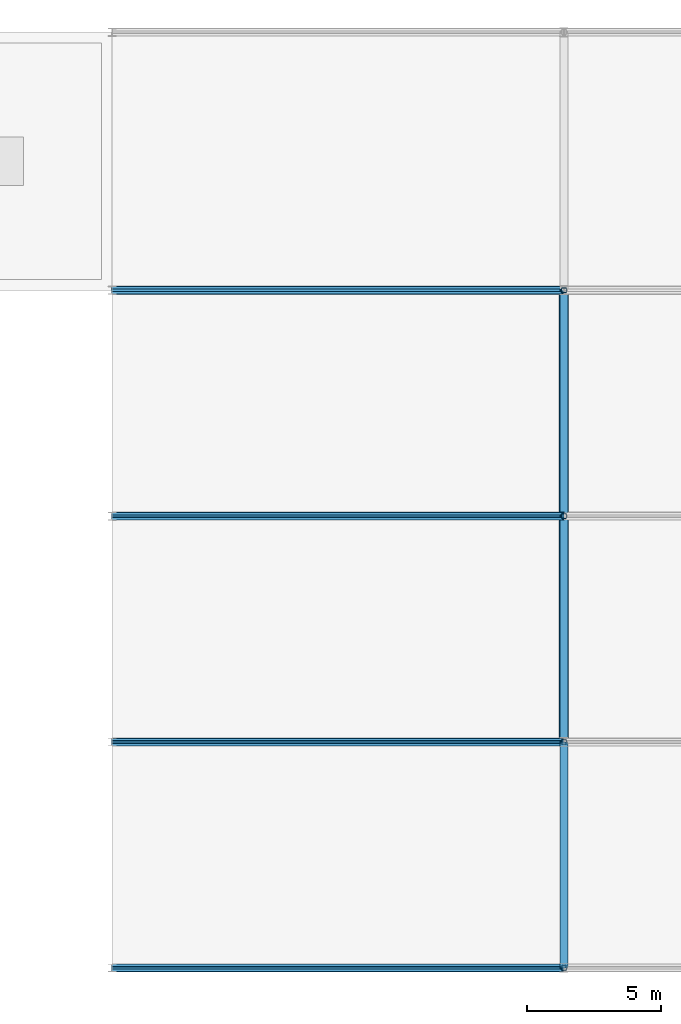
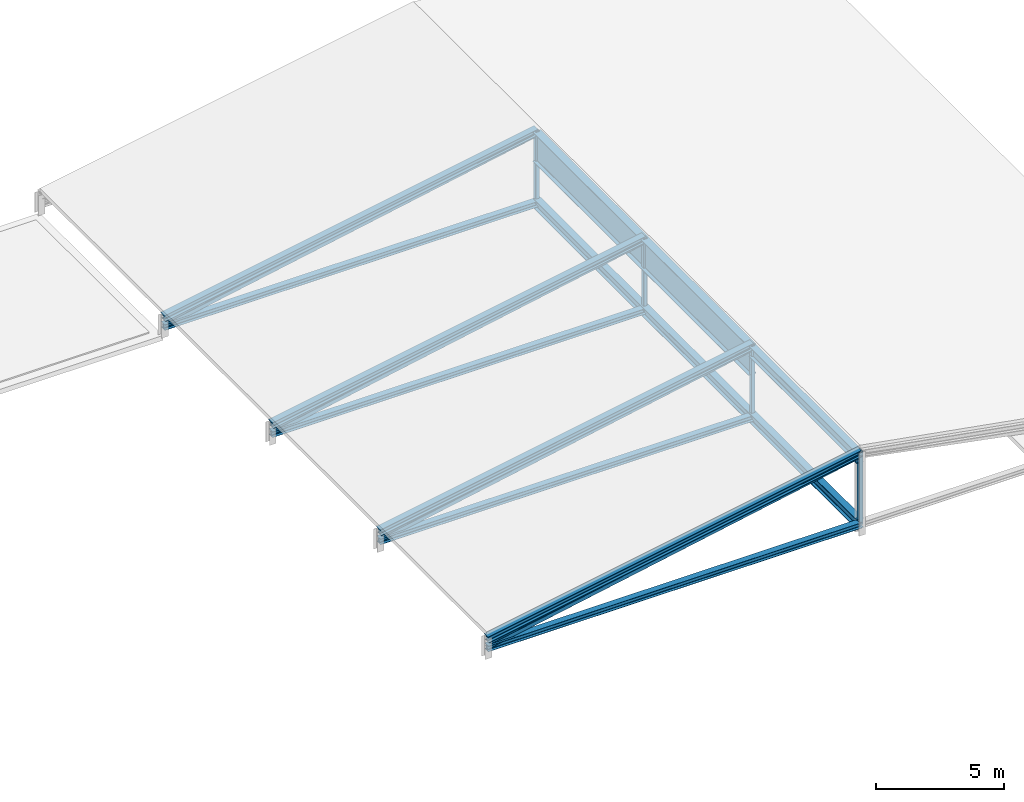
# One storey, part 31 of 90: 16 members, 4 beams.
"""IFC4 building model written with IfcOpenShell, lengths in metres."""

import ifcopenshell
import ifcopenshell.guid

model = None  # the IFC model being written
_history = None  # IfcOwnerHistory: only IFC2X3 demands one
_inside = {}  # id of a spatial element -> (the spatial element, [elements in it])
_under = {}  # id of a project, library or spatial element -> (it, [spatial elements below it])
_declared = {}  # id of a project -> (the project, [libraries it declares])
_typed = {}  # id of a type object -> (the type object, [elements of that type])
_made_of = {}  # id of a material, layer set ... -> (it, [elements and type objects made of it])


def new_model(schema):
    """Start an empty IFC model of exactly this schema.

    Asked for "IFC4X3", IfcOpenShell would pick the latest addendum, in which some entities
    have other attributes; the version numbers below select the first issue.
    IFC2X3 requires an IfcOwnerHistory on every rooted entity: one is made here for all.
    """
    global model, _history
    if schema == "IFC4X3":
        model = ifcopenshell.file(schema_version=(4, 3, 0, 0))
    else:
        model = ifcopenshell.file(schema=schema)
    _inside.clear()
    _under.clear()
    _declared.clear()
    _typed.clear()
    _made_of.clear()
    _history = None
    if model.schema == "IFC2X3":
        org = make("IfcOrganization", Name="unknown")
        user = make(
            "IfcPersonAndOrganization",
            ThePerson=make("IfcPerson", FamilyName="unknown"),
            TheOrganization=org,
        )
        app = make(
            "IfcApplication",
            ApplicationDeveloper=org,
            Version="unknown",
            ApplicationFullName="unknown",
            ApplicationIdentifier="unknown",
        )
        _history = make(
            "IfcOwnerHistory",
            OwningUser=user,
            OwningApplication=app,
            ChangeAction="ADDED",
            CreationDate=0,
        )
    return model


def make(cls, **values):
    """One entity of the class cls with the attributes given. An attribute that is None is left unset."""
    return model.create_entity(
        cls, **{name: value for name, value in values.items() if value is not None}
    )


def rooted(cls, **values):
    """An entity with a GlobalId (a new one), such as an element, a storey or a relation."""
    return make(cls, GlobalId=ifcopenshell.guid.new(), OwnerHistory=_history, **values)


def si_unit(unit_type, name, prefix=None):
    """IfcSIUnit, for example si_unit("LENGTHUNIT", "METRE", prefix="MILLI")."""
    return make("IfcSIUnit", UnitType=unit_type, Prefix=prefix, Name=name)


def derived_unit(unit_type, elements):
    """IfcDerivedUnit: a product of units, each with its exponent."""
    return make(
        "IfcDerivedUnit",
        Elements=[
            make("IfcDerivedUnitElement", Unit=unit, Exponent=power)
            for unit, power in elements
        ],
        UnitType=unit_type,
    )


def assignment(units):
    """IfcUnitAssignment: the units of a project."""
    return None if units is None else make("IfcUnitAssignment", Units=units)


def point(xyz):
    """IfcCartesianPoint."""
    return None if xyz is None else make("IfcCartesianPoint", Coordinates=xyz)


def direction(xyz):
    """IfcDirection."""
    return None if xyz is None else make("IfcDirection", DirectionRatios=xyz)


def frame(location, z_axis=None, x_axis=None):
    """IfcAxis2Placement3D, a coordinate frame: its origin and axes. An axis left out is left unset."""
    return make(
        "IfcAxis2Placement3D",
        Location=point(location),
        Axis=direction(z_axis),
        RefDirection=direction(x_axis),
    )


def frame_2d(location, x_axis=None):
    """IfcAxis2Placement2D, a coordinate frame in the plane: its origin and x axis."""
    return make(
        "IfcAxis2Placement2D", Location=point(location), RefDirection=direction(x_axis)
    )


def origin():
    """The frame at (0, 0, 0) with its axes left unset."""
    return frame((0.0, 0.0, 0.0))


def origin_2d():
    """The frame at (0, 0) in the plane with its x axis left unset."""
    return frame_2d((0.0, 0.0))


def place(relative_to, where):
    """IfcLocalPlacement: puts the frame where relative to a parent placement (None: the world)."""
    return make(
        "IfcLocalPlacement", PlacementRelTo=relative_to, RelativePlacement=where
    )


def context(
    kind, dimensions, precision=None, world=None, true_north=None, identifier=None
):
    """IfcGeometricRepresentationContext, for example the 3D "Model" context."""
    return make(
        "IfcGeometricRepresentationContext",
        ContextIdentifier=identifier,
        ContextType=kind,
        CoordinateSpaceDimension=dimensions,
        Precision=precision,
        WorldCoordinateSystem=world,
        TrueNorth=true_north,
    )


def subcontext(parent, identifier, kind, view, scale=None):
    """IfcGeometricRepresentationSubContext, for example "Body" below "Model"."""
    return make(
        "IfcGeometricRepresentationSubContext",
        ContextIdentifier=identifier,
        ContextType=kind,
        ParentContext=parent,
        TargetScale=scale,
        TargetView=view,
    )


def project(units=None, contexts=None):
    """IfcProject with its units and contexts."""
    return rooted(
        "IfcProject",
        Name="project",
        RepresentationContexts=contexts,
        UnitsInContext=assignment(units),
    )


def spatial(cls, under=None, at=None, **own):
    """A site, building, storey or space (cls), placed at a placement, below another one or the project."""
    s = rooted(cls, ObjectPlacement=at, **own)
    if under is not None:
        _under.setdefault(under.id(), (under, []))[1].append(s)
    return s


def profile(cls, at=None, kind="AREA", **sizes):
    """A parametric profile (cls). Its sizes go by their IFC names, for example OverallWidth=200.0."""
    return make(cls, ProfileType=kind, Position=at, **sizes)


def hollow_rectangle(**sizes):
    """IfcRectangleHollowProfileDef."""
    return profile("IfcRectangleHollowProfileDef", **sizes)


def i_section(**sizes):
    """IfcIShapeProfileDef."""
    return profile("IfcIShapeProfileDef", **sizes)


def extrude(swept, where, along, depth):
    """IfcExtrudedAreaSolid: the profile swept, set in the frame where, extruded along a direction by depth."""
    return make(
        "IfcExtrudedAreaSolid",
        SweptArea=swept,
        Position=where,
        ExtrudedDirection=direction(along),
        Depth=depth,
    )


def shape(context_of_items, identifier, shape_type, items):
    """IfcShapeRepresentation: the items that make up one representation, for example the "Body"."""
    return make(
        "IfcShapeRepresentation",
        ContextOfItems=context_of_items,
        RepresentationIdentifier=identifier,
        RepresentationType=shape_type,
        Items=items,
    )


def material(Name=None, Category=None):
    """IfcMaterial."""
    return make("IfcMaterial", Name=Name, Category=Category)


def material_profile(
    of_material, cross_section, Name=None, Category=None, Priority=None
):
    """IfcMaterialProfile: a cross section and its material."""
    return make(
        "IfcMaterialProfile",
        Name=Name,
        Material=of_material,
        Profile=cross_section,
        Priority=Priority,
        Category=Category,
    )


def profile_set(profiles, Name=None, composite=None):
    """IfcMaterialProfileSet."""
    return make(
        "IfcMaterialProfileSet",
        Name=Name,
        MaterialProfiles=profiles,
        CompositeProfile=composite,
    )


def made_of(thing, what):
    """Note that an element or type object is made of a material, layer set ...; save() writes the relation."""
    if what is not None:
        _made_of.setdefault(what.id(), (what, []))[1].append(thing)
    return thing


def type_object(cls, material=None, **own):
    """A type object (cls), such as IfcWallType, which elements share."""
    return made_of(rooted(cls, **own), material)


def element(
    cls,
    number,
    at=None,
    inside=None,
    cuts=None,
    type_object=None,
    material=None,
    context=None,
    identifier="Body",
    shape_type=None,
    held_by="IfcProductDefinitionShape",
    body=None,
    shapes=None,
    **own,
):
    """One element of the class cls, such as IfcWall. Its Tag is "e" and its number.

    at: its placement. inside: the storey or other place that contains it. cuts: it is an
    opening in that element (IfcRelVoidsElement). A single representation is given by context,
    identifier, shape_type and body (its items); several are given by shapes. held_by: the class
    of the entity that holds the representations. save() writes the other relations.
    """
    e = rooted(cls, Tag="e%d" % number, ObjectPlacement=at, **own)
    if body is not None:
        shapes = [shape(context, identifier, shape_type, body)]
    if shapes is not None:
        e.Representation = make(held_by, Representations=shapes)
    if inside is not None:
        _inside.setdefault(inside.id(), (inside, []))[1].append(e)
    if cuts is not None:
        rooted(
            "IfcRelVoidsElement", RelatingBuildingElement=cuts, RelatedOpeningElement=e
        )
    if type_object is not None:
        _typed.setdefault(type_object.id(), (type_object, []))[1].append(e)
    return made_of(e, material)


def aggregate(whole, parts):
    """IfcRelAggregates: a whole, such as a stair, and the parts it consists of."""
    return rooted("IfcRelAggregates", RelatingObject=whole, RelatedObjects=parts)


def save(model, path):
    """Write the relations noted so far, then the file.

    IfcRelAggregates (storeys below a building ...), IfcRelContainedInSpatialStructure (elements
    in a storey), IfcRelDefinesByType, IfcRelAssociatesMaterial and IfcRelDeclares: one each for
    every whole, place, type object, material and project.
    """
    for whole, parts in _under.values():
        aggregate(whole, parts)
    for where, things in _inside.values():
        rooted(
            "IfcRelContainedInSpatialStructure",
            RelatedElements=things,
            RelatingStructure=where,
        )
    for kind, things in _typed.values():
        rooted("IfcRelDefinesByType", RelatedObjects=things, RelatingType=kind)
    for what, things in _made_of.values():
        rooted("IfcRelAssociatesMaterial", RelatedObjects=things, RelatingMaterial=what)
    for by, libraries in _declared.values():
        rooted("IfcRelDeclares", RelatingContext=by, RelatedDefinitions=libraries)
    model.write(path)


model = new_model("IFC4")

# Units and contexts
model_context = context("Model", 3, precision=1e-05, world=origin(), true_north=direction((0.0, 1.0)))
body_context = subcontext(model_context, "Body", "Model", "MODEL_VIEW")
ifc_project = project(units=[si_unit("LENGTHUNIT", "METRE"), si_unit("AREAUNIT", "SQUARE_METRE"), si_unit("VOLUMEUNIT", "CUBIC_METRE"), si_unit("PLANEANGLEUNIT", "RADIAN"), si_unit("MASSUNIT", "GRAM", prefix="KILO"), derived_unit("THERMALTRANSMITTANCEUNIT", [(si_unit("POWERUNIT", "WATT"), 1), (si_unit("AREAUNIT", "SQUARE_METRE"), -1), (si_unit("THERMODYNAMICTEMPERATUREUNIT", "KELVIN"), -1)])], contexts=[model_context])

# Site, building, storey
site_placement = place(None, origin())
site = spatial("IfcSite", under=ifc_project, at=site_placement, CompositionType="ELEMENT")
building_placement = place(site_placement, origin())
building = spatial("IfcBuilding", under=site, at=building_placement, Name="Yasenodar Specialist Clinic", CompositionType="ELEMENT")
storey_placement = place(building_placement, frame((0.0, 0.0, 9.0)))
storey = spatial("IfcBuildingStorey", under=building, at=storey_placement, Name="L02", CompositionType="ELEMENT", Elevation=9.0)

# Beams
ifc_material = material(Name="Steel S355", Category="steel")
ifc_material_profile_1 = material_profile(ifc_material, i_section(OverallWidth=0.300048828125, OverallDepth=0.449951171875, WebThickness=0.013916015625, FlangeThickness=0.02587890625, FilletRadius=0.027099609375, at=origin_2d()), Name="HEB 450")
ifc_profile_set_1 = profile_set([ifc_material_profile_1], Name="Steel S355")
beam_type_1 = type_object("IfcBeamType", Name="BM-HEB450", PredefinedType="BEAM", material=ifc_profile_set_1)
beam_1_placement = place(storey_placement, frame((121.800048828125, 0.0, 0.449951171875), z_axis=(0.0, 1.0, 0.0), x_axis=(-1.0, 0.0, 0.0)))
element("IfcBeam", 1, at=beam_1_placement, inside=storey, type_object=beam_type_1, Name="V3 Conservatory Lower Tie Girder 1", PredefinedType="BEAM", context=body_context, shape_type="SweptSolid", body=[
    extrude(i_section(OverallWidth=0.300048828125, OverallDepth=0.449951171875, WebThickness=0.013916015625, FlangeThickness=0.02587890625, FilletRadius=0.027099609375, at=origin_2d()), origin(), (0.0, 0.0, 1.0), 8.39990234375),
])
beam_2_placement = place(storey_placement, frame((121.800048828125, 8.39990234375, 0.449951171875), z_axis=(0.0, 1.0, 0.0), x_axis=(-1.0, 0.0, 0.0)))
element("IfcBeam", 2, at=beam_2_placement, inside=storey, type_object=beam_type_1, Name="V3 Conservatory Lower Tie Girder 2", PredefinedType="BEAM", context=body_context, shape_type="SweptSolid", body=[
    extrude(i_section(OverallWidth=0.300048828125, OverallDepth=0.449951171875, WebThickness=0.013916015625, FlangeThickness=0.02587890625, FilletRadius=0.027099609375, at=origin_2d()), origin(), (0.0, 0.0, 1.0), 16.800048828125),
])
ifc_material_profile_2 = material_profile(ifc_material, i_section(OverallWidth=0.300048828125, OverallDepth=0.5, WebThickness=0.014404296875, FlangeThickness=0.028076171875, FilletRadius=0.027099609375, at=origin_2d()), Name="HEB 500")
ifc_profile_set_2 = profile_set([ifc_material_profile_2], Name="Steel S355")
beam_type_2 = type_object("IfcBeamType", Name="BM-HEB500", PredefinedType="BEAM", material=ifc_profile_set_2)
beam_3_placement = place(storey_placement, frame((121.800048828125, 0.0, 3.60009765625), z_axis=(0.0, 1.0, 0.0), x_axis=(-1.0, 0.0, 0.0)))
element("IfcBeam", 3, at=beam_3_placement, inside=storey, type_object=beam_type_2, Name="V3 Conservatory Ridge Transfer Girder 1", PredefinedType="BEAM", context=body_context, shape_type="SweptSolid", body=[
    extrude(i_section(OverallWidth=0.300048828125, OverallDepth=0.5, WebThickness=0.014404296875, FlangeThickness=0.028076171875, FilletRadius=0.027099609375, at=origin_2d()), origin(), (0.0, 0.0, 1.0), 8.39990234375),
])
ifc_material_profile_3 = material_profile(ifc_material, i_section(OverallWidth=0.35009765625, OverallDepth=1.39990234375, WebThickness=0.01611328125, FlangeThickness=0.028076171875, FilletRadius=0.02392578125, at=origin_2d()), Name="PG 1400x350")
ifc_profile_set_3 = profile_set([ifc_material_profile_3], Name="Steel S355")
beam_type_3 = type_object("IfcBeamType", Name="BM-PG-1400", PredefinedType="BEAM", material=ifc_profile_set_3)
beam_4_placement = place(storey_placement, frame((121.800048828125, 8.39990234375, 3.14990234375), z_axis=(0.0, 1.0, 0.0), x_axis=(-1.0, 0.0, 0.0)))
element("IfcBeam", 4, at=beam_4_placement, inside=storey, type_object=beam_type_3, Name="V3 Conservatory Ridge Transfer Girder 2", PredefinedType="BEAM", context=body_context, shape_type="SweptSolid", body=[
    extrude(i_section(OverallWidth=0.35009765625, OverallDepth=1.39990234375, WebThickness=0.01611328125, FlangeThickness=0.028076171875, FilletRadius=0.02392578125, at=origin_2d()), origin(), (0.0, 0.0, 1.0), 16.800048828125),
])

# Members
ifc_material_profile_4 = material_profile(ifc_material, hollow_rectangle(XDim=0.10009765625, YDim=0.199951171875, WallThickness=0.008056640625, InnerFilletRadius=0.011962890625, OuterFilletRadius=0.02001953125, at=origin_2d()), Name="RHS 200x100x8")
ifc_profile_set_4 = profile_set([ifc_material_profile_4], Name="Steel S355")
member_type_1 = type_object("IfcMemberType", Name="TR-BRC-RHS200", PredefinedType="BRACE", material=ifc_profile_set_4)
for number, where, z_axis, x_axis, name in (
    (5, (105.0, 0.0, 0.449951171875), (0.981981526507, 0.0, 0.18897693404), (0.0, 1.0, 0.0), "V3 Conservatory Truss Diagonal 1W"),
    (6, (105.0, 8.39990234375, 0.449951171875), (0.981981526507, 0.0, 0.18897693404), (0.0, 1.0, 0.0), "V3 Conservatory Truss Diagonal 2W"),
    (7, (105.0, 16.800048828125, 0.449951171875), (0.981981526507, 0.0, 0.18897693404), (0.0, 1.0, 0.0), "V3 Conservatory Truss Diagonal 3W"),
    (8, (105.0, 25.199951171875, 0.449951171875), (0.981981526507, 0.0, 0.18897693404), (0.0, 1.0, 0.0), "V3 Conservatory Truss Diagonal 4W"),
):
    element("IfcMember", number, at=place(storey_placement, frame(where, z_axis=z_axis, x_axis=x_axis)), inside=storey, type_object=member_type_1, Name=name, PredefinedType="BRACE", context=body_context, shape_type="SweptSolid", body=[
        extrude(hollow_rectangle(XDim=0.10009765625, YDim=0.199951171875, WallThickness=0.008056640625, InnerFilletRadius=0.011962890625, OuterFilletRadius=0.02001953125, at=origin_2d()), origin(), (0.0, 0.0, 1.0), 16.986083984375),
    ])
ifc_material_profile_5 = material_profile(ifc_material, i_section(OverallWidth=0.280029296875, OverallDepth=0.27001953125, WebThickness=0.008056640625, FlangeThickness=0.012939453125, FilletRadius=0.02392578125, at=origin_2d()), Name="HEA 280")
ifc_profile_set_5 = profile_set([ifc_material_profile_5], Name="Steel S355")
member_type_2 = type_object("IfcMemberType", Name="TR-CHD-HEA280", PredefinedType="CHORD", material=ifc_profile_set_5)
for number, where, z_axis, x_axis, name in (
    (9, (105.0, 0.0, 0.449951171875), (1.0, 0.0, 0.0), (0.0, 1.0, 0.0), "V3 Conservatory Tie Chord 1W"),
    (10, (105.0, 8.39990234375, 0.449951171875), (1.0, 0.0, 0.0), (0.0, 1.0, 0.0), "V3 Conservatory Tie Chord 2W"),
    (11, (105.0, 16.800048828125, 0.449951171875), (1.0, 0.0, 0.0), (0.0, 1.0, 0.0), "V3 Conservatory Tie Chord 3W"),
    (12, (105.0, 25.199951171875, 0.449951171875), (1.0, 0.0, 0.0), (0.0, 1.0, 0.0), "V3 Conservatory Tie Chord 4W"),
):
    element("IfcMember", number, at=place(storey_placement, frame(where, z_axis=z_axis, x_axis=x_axis)), inside=storey, type_object=member_type_2, Name=name, PredefinedType="CHORD", context=body_context, shape_type="SweptSolid", body=[
        extrude(i_section(OverallWidth=0.280029296875, OverallDepth=0.27001953125, WebThickness=0.008056640625, FlangeThickness=0.012939453125, FilletRadius=0.02392578125, at=origin_2d()), origin(), (0.0, 0.0, 1.0), 16.800048828125),
    ])
ifc_material_profile_6 = material_profile(ifc_material, i_section(OverallWidth=0.300048828125, OverallDepth=0.300048828125, WebThickness=0.010986328125, FlangeThickness=0.01904296875, FilletRadius=0.027099609375, at=origin_2d()), Name="HEB 300")
ifc_profile_set_6 = profile_set([ifc_material_profile_6], Name="Steel S355")
member_type_3 = type_object("IfcMemberType", Name="TR-CHD-HEB300", PredefinedType="CHORD", material=ifc_profile_set_6)
for number, where, z_axis, x_axis, name in (
    (13, (105.0, 0.0, 0.8798828125), (0.984427663925, 0.0, 0.17579014335), (0.0, 1.0, 0.0), "V3 Conservatory Pitched Rafter 1W"),
    (14, (105.0, 8.39990234375, 0.8798828125), (0.984427663925, 0.0, 0.17579014335), (0.0, 1.0, 0.0), "V3 Conservatory Pitched Rafter 2W"),
    (15, (105.0, 16.800048828125, 0.8798828125), (0.984427663925, 0.0, 0.17579014335), (0.0, 1.0, 0.0), "V3 Conservatory Pitched Rafter 3W"),
    (16, (105.0, 25.199951171875, 0.8798828125), (0.984427663925, 0.0, 0.17579014335), (0.0, 1.0, 0.0), "V3 Conservatory Pitched Rafter 4W"),
):
    element("IfcMember", number, at=place(storey_placement, frame(where, z_axis=z_axis, x_axis=x_axis)), inside=storey, type_object=member_type_3, Name=name, PredefinedType="CHORD", context=body_context, shape_type="SweptSolid", body=[
        extrude(i_section(OverallWidth=0.300048828125, OverallDepth=0.300048828125, WebThickness=0.010986328125, FlangeThickness=0.01904296875, FilletRadius=0.027099609375, at=origin_2d()), origin(), (0.0, 0.0, 1.0), 17.06591796875),
    ])
ifc_material_profile_7 = material_profile(ifc_material, hollow_rectangle(XDim=0.179931640625, YDim=0.179931640625, WallThickness=0.010009765625, InnerFilletRadius=0.014892578125, OuterFilletRadius=0.02490234375, at=origin_2d()), Name="SHS 180x180x10")
ifc_profile_set_7 = profile_set([ifc_material_profile_7], Name="Steel S355")
member_type_4 = type_object("IfcMemberType", Name="TR-STR-SHS180", PredefinedType="STRUT", material=ifc_profile_set_7)
for number, where, z_axis, x_axis, name in (
    (17, (121.800048828125, 0.0, 0.449951171875), (0.0, 0.0, 1.0), (1.0, 0.0, 0.0), "V3 Conservatory King Post 1"),
    (18, (121.800048828125, 8.39990234375, 0.449951171875), (0.0, 0.0, 1.0), (1.0, 0.0, 0.0), "V3 Conservatory King Post 2"),
    (19, (121.800048828125, 16.800048828125, 0.449951171875), (0.0, 0.0, 1.0), (1.0, 0.0, 0.0), "V3 Conservatory King Post 3"),
    (20, (121.800048828125, 25.199951171875, 0.449951171875), (0.0, 0.0, 1.0), (1.0, 0.0, 0.0), "V3 Conservatory King Post 4"),
):
    element("IfcMember", number, at=place(storey_placement, frame(where, z_axis=z_axis, x_axis=x_axis)), inside=storey, type_object=member_type_4, Name=name, PredefinedType="STRUT", context=body_context, shape_type="SweptSolid", body=[
        extrude(hollow_rectangle(XDim=0.179931640625, YDim=0.179931640625, WallThickness=0.010009765625, InnerFilletRadius=0.014892578125, OuterFilletRadius=0.02490234375, at=origin_2d()), origin(), (0.0, 0.0, 1.0), 3.429931640625),
    ])

save(model, "model.ifc")
